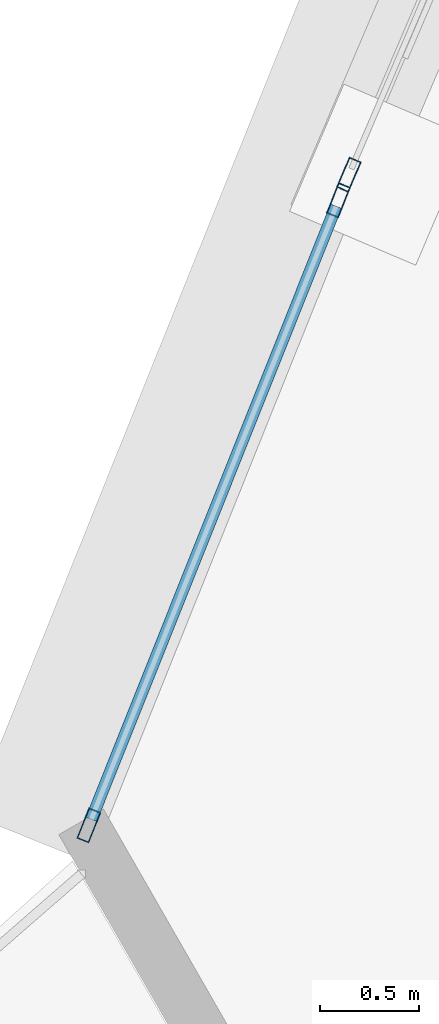
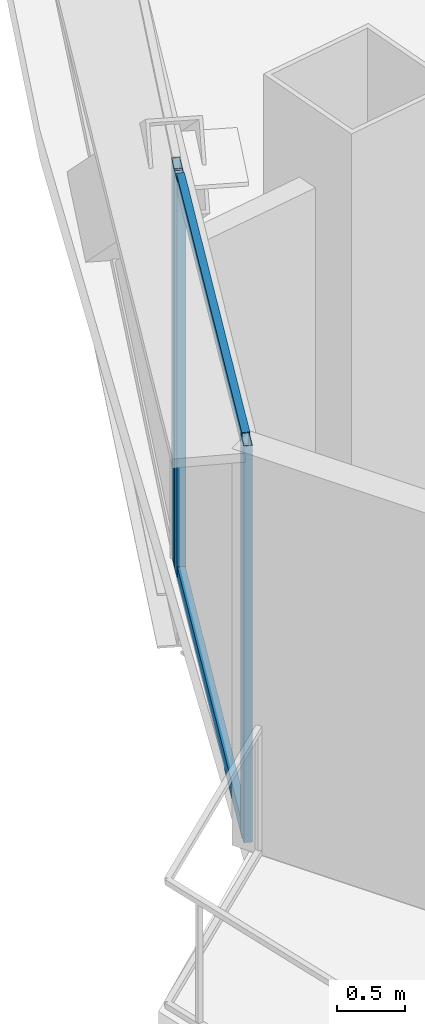
# One storey, part 4 of 36: 5 members, 2 elements without a shape of their own.
"""IFC4 building model written with IfcOpenShell, lengths in metres."""

from ifc_helpers import new_model, si_unit, direction, frame, origin, origin_2d, place, context, subcontext, project, spatial, hollow_rectangle, extrude, source, transform, mapped, material, layer, layer_set, material_profile, profile_set, type_object, element, aggregate, save


model = new_model("IFC4")

# Units and contexts
model_context = context("Model", 3, precision=1e-05, world=origin(), true_north=direction((0.0, 1.0)))
body_context = subcontext(model_context, "Body", "Model", "MODEL_VIEW")
ifc_project = project(units=[si_unit("LENGTHUNIT", "METRE"), si_unit("AREAUNIT", "SQUARE_METRE"), si_unit("VOLUMEUNIT", "CUBIC_METRE"), si_unit("PLANEANGLEUNIT", "RADIAN"), si_unit("MASSUNIT", "GRAM", prefix="KILO"), si_unit("THERMODYNAMICTEMPERATUREUNIT", "KELVIN"), si_unit("POWERUNIT", "WATT")], contexts=[model_context])

# Site, building, storey
site_placement = place(None, origin())
site = spatial("IfcSite", under=ifc_project, at=site_placement, CompositionType="ELEMENT")
building_placement = place(site_placement, origin())
building = spatial("IfcBuilding", under=site, at=building_placement, Name="Yunzhuo Pagoda Commons", CompositionType="ELEMENT")
storey_placement = place(building_placement, frame((0.0, 0.0, 107.780029296875)))
storey = spatial("IfcBuildingStorey", under=building, at=storey_placement, Name="L27", CompositionType="ELEMENT", Elevation=107.780029296875)

# Curtain wall, member
ifc_material = material(Name="Anodized aluminium 6063-T6", Category="aluminium")
ifc_layer = layer(ifc_material, 0.1650390625)
ifc_layer_set = layer_set([ifc_layer], Name="Anodized aluminium 6063-T6")
curtain_wall_type = type_object("IfcCurtainWallType", Name="CW-LOW Low-Zone Ribbon Curtain Wall", PredefinedType="NOTDEFINED", material=ifc_layer_set)
curtain_wall_1_placement = place(storey_placement, origin())
curtain_wall_1 = element("IfcCurtainWall", 1, at=curtain_wall_1_placement, inside=storey, type_object=curtain_wall_type, Name="L27 curtain wall CW-L27-F3B4", PredefinedType="NOTDEFINED")
ifc_material_profile_1 = material_profile(ifc_material, hollow_rectangle(XDim=0.06494140625, YDim=0.1650390625, WallThickness=0.00390625, at=origin_2d()), Name="Anodized aluminium 6063-T6")
ifc_profile_set_1 = profile_set([ifc_material_profile_1], Name="Anodized aluminium 6063-T6")
member_type_1 = type_object("IfcMemberType", Name="CW-LOW-M Mullion RHS 165x65x4", PredefinedType="MULLION", material=ifc_profile_set_1)
shared_shape_1 = source(origin(), body_context, "Body", "SweptSolid", [
    extrude(hollow_rectangle(XDim=0.06494140625, YDim=0.1650390625, WallThickness=0.00390625, at=origin_2d()), origin(), (0.0, 0.0, 1.0), 3.5400390625),
])
member_1_placement = place(storey_placement, frame((7.9482421875, 26.665283203125, 0.0), z_axis=(0.0, 0.0, 1.0), x_axis=(0.919516302226, -0.39305186673, 0.0)))
member_1 = element("IfcMember", 2, at=member_1_placement, type_object=member_type_1, Name="CW mullion 2", PredefinedType="MULLION", context=body_context, shape_type="MappedRepresentation", body=[
    mapped(shared_shape_1, transform((0.0, 0.0, 0.0), scale=1.0)),
])
aggregate(curtain_wall_1, [member_1])

# Curtain wall, members
curtain_wall_2_placement = place(storey_placement, origin())
curtain_wall_2 = element("IfcCurtainWall", 3, at=curtain_wall_2_placement, inside=storey, type_object=curtain_wall_type, Name="L27 curtain wall CW-L27-F3B5", PredefinedType="NOTDEFINED")
member_2_placement = place(storey_placement, frame((7.8955078125, 26.535888671875, 0.0), z_axis=(0.0, 0.0, 1.0), x_axis=(0.928701015293, -0.370829373424, 0.0)))
member_2 = element("IfcMember", 4, at=member_2_placement, type_object=member_type_1, Name="CW mullion 1", PredefinedType="MULLION", context=body_context, shape_type="MappedRepresentation", body=[
    mapped(shared_shape_1, transform((0.0, 0.0, 0.0), scale=1.0)),
])
member_3_placement = place(storey_placement, frame((6.63232421875, 23.3720703125, 0.0), z_axis=(0.0, 0.0, 1.0), x_axis=(0.928701015293, -0.370829373424, 0.0)))
member_3 = element("IfcMember", 5, at=member_3_placement, type_object=member_type_1, Name="CW mullion 2", PredefinedType="MULLION", context=body_context, shape_type="MappedRepresentation", body=[
    mapped(shared_shape_1, transform((0.0, 0.0, 0.0), scale=1.0)),
])
ifc_material_profile_2 = material_profile(ifc_material, hollow_rectangle(XDim=0.06005859375, YDim=0.139892578125, WallThickness=0.00341796875, at=origin_2d()), Name="Anodized aluminium 6063-T6")
ifc_profile_set_2 = profile_set([ifc_material_profile_2], Name="Anodized aluminium 6063-T6")
member_type_2 = type_object("IfcMemberType", Name="CW-LOW-T Transom RHS 140x60x3.5", PredefinedType="USERDEFINED", material=ifc_profile_set_2)
shared_shape_2 = source(origin(), body_context, "Body", "SweptSolid", [
    extrude(hollow_rectangle(XDim=0.06005859375, YDim=0.139892578125, WallThickness=0.00341796875, at=origin_2d()), origin(), (0.0, 0.0, 1.0), 3.34130859375),
])
member_4_placement = place(storey_placement, frame((7.883544921875, 26.50537109375, 0.030029296875), z_axis=(-0.370886713186, -0.928678117532, 0.0), x_axis=(0.928678117532, -0.370886713186, 0.0)))
member_4 = element("IfcMember", 6, at=member_4_placement, type_object=member_type_2, Name="CW transom 1.1", ObjectType="TRANSOM", PredefinedType="USERDEFINED", context=body_context, shape_type="MappedRepresentation", body=[
    mapped(shared_shape_2, transform((0.0, 0.0, 0.0), scale=1.0)),
])
member_5_placement = place(storey_placement, frame((7.883544921875, 26.50537109375, 3.510009765625), z_axis=(-0.370886713186, -0.928678117532, 0.0), x_axis=(0.928678117532, -0.370886713186, 0.0)))
member_5 = element("IfcMember", 7, at=member_5_placement, type_object=member_type_2, Name="CW transom 1.2", ObjectType="TRANSOM", PredefinedType="USERDEFINED", context=body_context, shape_type="MappedRepresentation", body=[
    mapped(shared_shape_2, transform((0.0, 0.0, 0.0), scale=1.0)),
])
aggregate(curtain_wall_2, [member_2, member_3, member_4, member_5])

save(model, "model.ifc")
